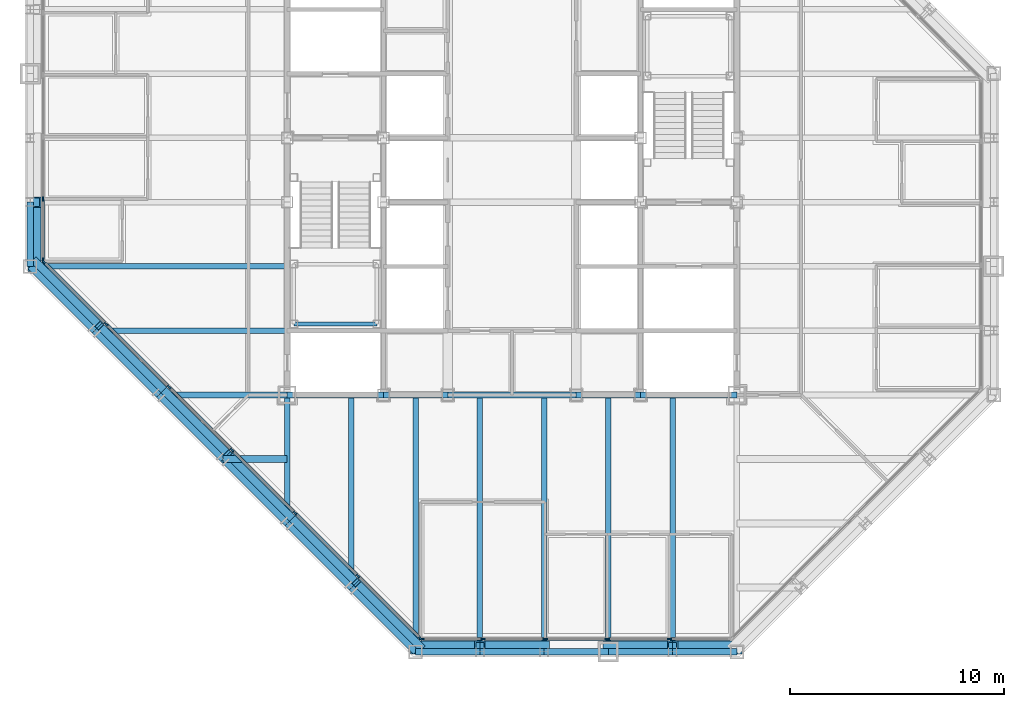
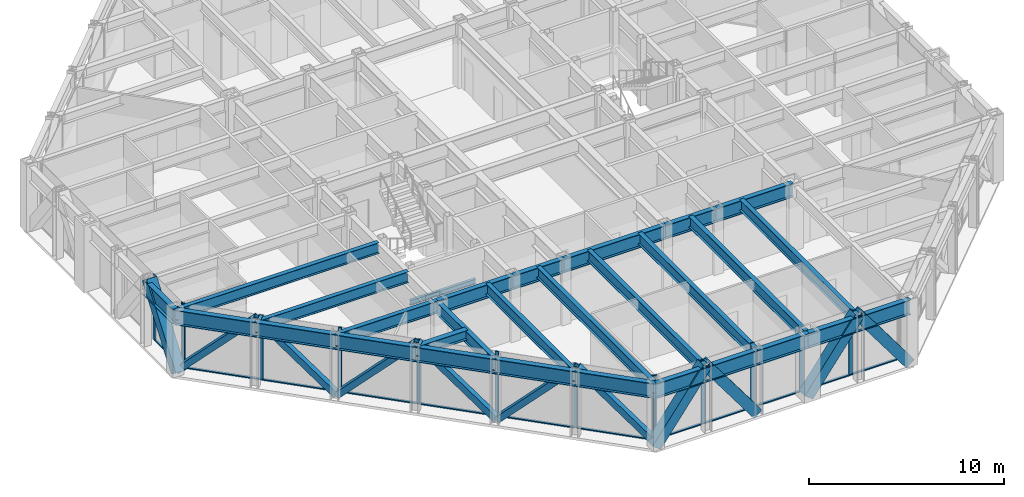
# One storey, part 5 of 16: 37 members, 29 beams, 3 elements without a shape of their own.
"""IFC4 building model written with IfcOpenShell, lengths in metres."""

from ifc_helpers import new_model, si_unit, direction, frame, origin, origin_2d, place, context, subcontext, project, spatial, rectangle, hollow_rectangle, i_section, extrude, material, layer, layer_set, material_profile, profile_set, type_object, element, aggregate, save


model = new_model("IFC4")

# Units and contexts
model_context = context("Model", 3, precision=1e-05, world=origin(), true_north=direction((0.0, 1.0)))
body_context = subcontext(model_context, "Body", "Model", "MODEL_VIEW")
ifc_project = project(units=[si_unit("LENGTHUNIT", "METRE"), si_unit("AREAUNIT", "SQUARE_METRE"), si_unit("VOLUMEUNIT", "CUBIC_METRE"), si_unit("PLANEANGLEUNIT", "RADIAN"), si_unit("MASSUNIT", "GRAM", prefix="KILO")], contexts=[model_context])

# Site, building, storey
site_placement = place(None, origin())
site = spatial("IfcSite", under=ifc_project, at=site_placement, CompositionType="ELEMENT")
building_placement = place(site_placement, origin())
building = spatial("IfcBuilding", under=site, at=building_placement, Name="Chuquiago Exchange Tower", CompositionType="ELEMENT")
storey_placement = place(building_placement, frame((0.0, 0.0, 222.300048828125)))
storey = spatial("IfcBuildingStorey", under=building, at=storey_placement, Name="L49", CompositionType="ELEMENT", Elevation=222.300048828125)

# Beams
ifc_material_1 = material(Name="Steel ASTM A992", Category="steel")
ifc_material_profile_1 = material_profile(ifc_material_1, i_section(OverallWidth=0.25390625, OverallDepth=0.683349609375, WebThickness=0.012451171875, FlangeThickness=0.018798828125, at=origin_2d()), Name="W27X94")
ifc_profile_set_1 = profile_set([ifc_material_profile_1], Name="Steel ASTM A992")
beam_type_1 = type_object("IfcBeamType", Name="B1 W27X94", PredefinedType="BEAM", material=ifc_profile_set_1)
beam_1_placement = place(storey_placement, frame((15.0, 12.0, 3.6982421875), z_axis=(0.0, -1.0, 0.0), x_axis=(1.0, 0.0, 0.0)))
element("IfcBeam", 1, at=beam_1_placement, inside=storey, type_object=beam_type_1, Name="FB-L50-infill-15_12-15_3-0", PredefinedType="BEAM", context=body_context, shape_type="SweptSolid", body=[
    extrude(i_section(OverallWidth=0.25390625, OverallDepth=0.683349609375, WebThickness=0.012451171875, FlangeThickness=0.018798828125, at=origin_2d()), origin(), (0.0, 0.0, 1.0), 9.0),
])
for number, where, z_axis, x_axis, name in (
    (2, (18.0, 12.0, 3.6982421875), (0.0, -1.0, 0.0), (1.0, 0.0, 0.0), "FB-L50-infill-18_12-18_-0-0"),
    (3, (21.0, 12.0, 3.6982421875), (0.0, -1.0, 0.0), (1.0, 0.0, 0.0), "FB-L50-infill-21_12-21_-0-0"),
    (4, (24.0, 12.0, 3.6982421875), (0.0, -1.0, 0.0), (1.0, 0.0, 0.0), "FB-L50-infill-24_12-24_-0-0"),
    (5, (27.0, 12.0, 3.6982421875), (0.0, -1.0, 0.0), (1.0, 0.0, 0.0), "FB-L50-infill-27_12-27_-0-0"),
    (6, (30.0, 12.0, 3.6982421875), (0.0, -1.0, 0.0), (1.0, 0.0, 0.0), "FB-L50-infill-30_12-30_-0-0"),
):
    element("IfcBeam", number, at=place(storey_placement, frame(where, z_axis=z_axis, x_axis=x_axis)), inside=storey, type_object=beam_type_1, Name=name, PredefinedType="BEAM", context=body_context, shape_type="SweptSolid", body=[
        extrude(i_section(OverallWidth=0.25390625, OverallDepth=0.683349609375, WebThickness=0.012451171875, FlangeThickness=0.018798828125, at=origin_2d()), origin(), (0.0, 0.0, 1.0), 12.0),
    ])
beam_2_placement = place(storey_placement, frame((12.0, 15.0, 3.6982421875), z_axis=(-1.0, 0.0, 0.0), x_axis=(0.0, -1.0, 0.0)))
element("IfcBeam", 7, at=beam_2_placement, inside=storey, type_object=beam_type_1, Name="FB-L50-infill-12_15-3_15-0", PredefinedType="BEAM", context=body_context, shape_type="SweptSolid", body=[
    extrude(i_section(OverallWidth=0.25390625, OverallDepth=0.683349609375, WebThickness=0.012451171875, FlangeThickness=0.018798828125, at=origin_2d()), origin(), (0.0, 0.0, 1.0), 9.0),
])
beam_3_placement = place(storey_placement, frame((12.0, 18.0, 3.6982421875), z_axis=(-1.0, 0.0, 0.0), x_axis=(0.0, -1.0, 0.0)))
element("IfcBeam", 8, at=beam_3_placement, inside=storey, type_object=beam_type_1, Name="FB-L50-infill-12_18--0_18-0", PredefinedType="BEAM", context=body_context, shape_type="SweptSolid", body=[
    extrude(i_section(OverallWidth=0.25390625, OverallDepth=0.683349609375, WebThickness=0.012451171875, FlangeThickness=0.018798828125, at=origin_2d()), origin(), (0.0, 0.0, 1.0), 12.0),
])
ifc_material_2 = material(Name="Steel ASTM A992", Category="steel")
ifc_material_profile_2 = material_profile(ifc_material_2, i_section(OverallWidth=0.3251953125, OverallDepth=0.612060546875, WebThickness=0.0126953125, FlangeThickness=0.01904296875, at=origin_2d()), Name="W24X104")
ifc_profile_set_2 = profile_set([ifc_material_profile_2], Name="Steel ASTM A992")
beam_type_2 = type_object("IfcBeamType", Name="B2 W24X104", PredefinedType="BEAM", material=ifc_profile_set_2)
beam_4_placement = place(storey_placement, frame((12.0, 9.0, 3.73388671875), z_axis=(-1.0, 0.0, 0.0), x_axis=(0.0, -1.0, 0.0)))
element("IfcBeam", 9, at=beam_4_placement, inside=storey, type_object=beam_type_2, Name="FB-L50-corner-12_9-9_9-0", PredefinedType="BEAM", context=body_context, shape_type="SweptSolid", body=[
    extrude(i_section(OverallWidth=0.3251953125, OverallDepth=0.612060546875, WebThickness=0.0126953125, FlangeThickness=0.01904296875, at=origin_2d()), origin(), (0.0, 0.0, 1.0), 3.0),
])
ifc_material_3 = material(Name="Steel ASTM A992", Category="steel")
ifc_material_profile_3 = material_profile(ifc_material_3, i_section(OverallWidth=0.2919921875, OverallDepth=0.8583984375, WebThickness=0.01708984375, FlangeThickness=0.031005859375, at=origin_2d()), Name="W33X169")
ifc_profile_set_3 = profile_set([ifc_material_profile_3], Name="Steel ASTM A992")
beam_type_3 = type_object("IfcBeamType", Name="B3 W33X169", PredefinedType="BEAM", material=ifc_profile_set_3)
beam_5_placement = place(storey_placement, frame((12.0, 12.0, 3.610595703125), z_axis=(1.0, 0.0, 0.0), x_axis=(0.0, 1.0, 0.0)))
element("IfcBeam", 10, at=beam_5_placement, inside=storey, type_object=beam_type_3, Name="CB-L50-12_12-16.5_12", PredefinedType="BEAM", context=body_context, shape_type="SweptSolid", body=[
    extrude(i_section(OverallWidth=0.2919921875, OverallDepth=0.8583984375, WebThickness=0.01708984375, FlangeThickness=0.031005859375, at=origin_2d()), origin(), (0.0, 0.0, 1.0), 4.5),
])
beam_6_placement = place(storey_placement, frame((16.5, 12.0, 3.610595703125), z_axis=(1.0, 0.0, 0.0), x_axis=(0.0, 1.0, 0.0)))
element("IfcBeam", 11, at=beam_6_placement, inside=storey, type_object=beam_type_3, Name="CB-L50-16.5_12-19.5_12", PredefinedType="BEAM", context=body_context, shape_type="SweptSolid", body=[
    extrude(i_section(OverallWidth=0.2919921875, OverallDepth=0.8583984375, WebThickness=0.01708984375, FlangeThickness=0.031005859375, at=origin_2d()), origin(), (0.0, 0.0, 1.0), 3.0),
])
beam_7_placement = place(storey_placement, frame((19.5, 12.0, 3.610595703125), z_axis=(1.0, 0.0, 0.0), x_axis=(0.0, 1.0, 0.0)))
element("IfcBeam", 12, at=beam_7_placement, inside=storey, type_object=beam_type_3, Name="CB-L50-19.5_12-25.5_12", PredefinedType="BEAM", context=body_context, shape_type="SweptSolid", body=[
    extrude(i_section(OverallWidth=0.2919921875, OverallDepth=0.8583984375, WebThickness=0.01708984375, FlangeThickness=0.031005859375, at=origin_2d()), origin(), (0.0, 0.0, 1.0), 6.0),
])
beam_8_placement = place(storey_placement, frame((25.5, 12.0, 3.610595703125), z_axis=(1.0, 0.0, 0.0), x_axis=(0.0, 1.0, 0.0)))
element("IfcBeam", 13, at=beam_8_placement, inside=storey, type_object=beam_type_3, Name="CB-L50-25.5_12-28.5_12", PredefinedType="BEAM", context=body_context, shape_type="SweptSolid", body=[
    extrude(i_section(OverallWidth=0.2919921875, OverallDepth=0.8583984375, WebThickness=0.01708984375, FlangeThickness=0.031005859375, at=origin_2d()), origin(), (0.0, 0.0, 1.0), 3.0),
])
beam_9_placement = place(storey_placement, frame((28.5, 12.0, 3.610595703125), z_axis=(1.0, 0.0, 0.0), x_axis=(0.0, 1.0, 0.0)))
element("IfcBeam", 14, at=beam_9_placement, inside=storey, type_object=beam_type_3, Name="CB-L50-28.5_12-33_12", PredefinedType="BEAM", context=body_context, shape_type="SweptSolid", body=[
    extrude(i_section(OverallWidth=0.2919921875, OverallDepth=0.8583984375, WebThickness=0.01708984375, FlangeThickness=0.031005859375, at=origin_2d()), origin(), (0.0, 0.0, 1.0), 4.5),
])

# Curtain wall, members
ifc_material_4 = material(Name="Aluminium curtain wall system", Category="aluminium")
ifc_layer_1 = layer(ifc_material_4, 0.22509765625)
ifc_layer_set_1 = layer_set([ifc_layer_1], Name="CW2 office curtain wall")
curtain_wall_type_1 = type_object("IfcCurtainWallType", Name="CW2 office curtain wall", PredefinedType="NOTDEFINED", material=ifc_layer_set_1)
curtain_wall_1_placement = place(storey_placement, origin())
curtain_wall_1 = element("IfcCurtainWall", 15, at=curtain_wall_1_placement, inside=storey, type_object=curtain_wall_type_1, Name="CW2 curtain wall L49", PredefinedType="NOTDEFINED")
ifc_material_5 = material(Name="Aluminium mullion, pale anodised", Category="aluminium")
ifc_material_profile_4 = material_profile(ifc_material_5, rectangle(XDim=0.06494140625, YDim=0.22509765625, at=origin_2d()), Name="AL 65x225")
ifc_profile_set_4 = profile_set([ifc_material_profile_4], Name="Aluminium mullion, pale anodised")
member_type_1 = type_object("IfcMemberType", Name="CW2-M mullion 65x225", PredefinedType="MULLION", material=ifc_profile_set_4)
member_1_placement = place(storey_placement, frame((18.281005859375, 0.60009765625, 0.0), z_axis=(0.0, 0.0, 1.0), x_axis=(0.0, 1.0, 0.0)))
member_1 = element("IfcMember", 16, at=member_1_placement, type_object=member_type_1, Name="CW2 mullion 1", PredefinedType="MULLION", context=body_context, shape_type="SweptSolid", body=[
    extrude(rectangle(XDim=0.06494140625, YDim=0.22509765625, at=origin_2d()), origin(), (0.0, 0.0, 1.0), 4.0400390625),
])
member_2_placement = place(storey_placement, frame((21.149169921875, 0.60009765625, 0.0), z_axis=(0.0, 0.0, 1.0), x_axis=(0.0, 1.0, 0.0)))
member_2 = element("IfcMember", 17, at=member_2_placement, type_object=member_type_1, Name="CW2 mullion 2", PredefinedType="MULLION", context=body_context, shape_type="SweptSolid", body=[
    extrude(rectangle(XDim=0.06494140625, YDim=0.22509765625, at=origin_2d()), origin(), (0.0, 0.0, 1.0), 4.0400390625),
])
member_3_placement = place(storey_placement, frame((24.0498046875, 0.60009765625, 0.0), z_axis=(0.0, 0.0, 1.0), x_axis=(0.0, 1.0, 0.0)))
member_3 = element("IfcMember", 18, at=member_3_placement, type_object=member_type_1, Name="CW2 mullion 3", PredefinedType="MULLION", context=body_context, shape_type="SweptSolid", body=[
    extrude(rectangle(XDim=0.06494140625, YDim=0.22509765625, at=origin_2d()), origin(), (0.0, 0.0, 1.0), 4.0400390625),
])
member_4_placement = place(storey_placement, frame((26.9501953125, 0.60009765625, 0.0), z_axis=(0.0, 0.0, 1.0), x_axis=(0.0, 1.0, 0.0)))
member_4 = element("IfcMember", 19, at=member_4_placement, type_object=member_type_1, Name="CW2 mullion 4", PredefinedType="MULLION", context=body_context, shape_type="SweptSolid", body=[
    extrude(rectangle(XDim=0.06494140625, YDim=0.22509765625, at=origin_2d()), origin(), (0.0, 0.0, 1.0), 4.0400390625),
])
member_5_placement = place(storey_placement, frame((29.850830078125, 0.60009765625, 0.0), z_axis=(0.0, 0.0, 1.0), x_axis=(0.0, 1.0, 0.0)))
member_5 = element("IfcMember", 20, at=member_5_placement, type_object=member_type_1, Name="CW2 mullion 5", PredefinedType="MULLION", context=body_context, shape_type="SweptSolid", body=[
    extrude(rectangle(XDim=0.06494140625, YDim=0.22509765625, at=origin_2d()), origin(), (0.0, 0.0, 1.0), 4.0400390625),
])

curtain_wall_2_placement = place(storey_placement, origin())
curtain_wall_2 = element("IfcCurtainWall", 21, at=curtain_wall_2_placement, inside=storey, type_object=curtain_wall_type_1, Name="CW2 curtain wall L49", PredefinedType="NOTDEFINED")
member_6_placement = place(storey_placement, frame((0.60009765625, 21.149169921875, 0.0), z_axis=(0.0, 0.0, 1.0), x_axis=(1.0, 0.0, 0.0)))
member_6 = element("IfcMember", 22, at=member_6_placement, type_object=member_type_1, Name="CW2 mullion 5", PredefinedType="MULLION", context=body_context, shape_type="SweptSolid", body=[
    extrude(rectangle(XDim=0.06494140625, YDim=0.22509765625, at=origin_2d()), origin(), (0.0, 0.0, 1.0), 4.0400390625),
])
member_7_placement = place(storey_placement, frame((0.60009765625, 18.281005859375, 0.0), z_axis=(0.0, 0.0, 1.0), x_axis=(1.0, 0.0, 0.0)))
member_7 = element("IfcMember", 23, at=member_7_placement, type_object=member_type_1, Name="CW2 mullion 6", PredefinedType="MULLION", context=body_context, shape_type="SweptSolid", body=[
    extrude(rectangle(XDim=0.06494140625, YDim=0.22509765625, at=origin_2d()), origin(), (0.0, 0.0, 1.0), 4.0400390625),
])

# Member
ifc_material_6 = material(Name="Aluminium transom, pale anodised", Category="aluminium")
ifc_material_profile_5 = material_profile(ifc_material_6, rectangle(XDim=0.139892578125, YDim=0.06494140625, at=origin_2d()), Name="AL 140x65")
ifc_profile_set_5 = profile_set([ifc_material_profile_5], Name="Aluminium transom, pale anodised")
member_type_2 = type_object("IfcMemberType", Name="CW2-T transom 65x140", PredefinedType="MULLION", material=ifc_profile_set_5)
member_8_placement = place(storey_placement, frame((18.3134765625, 0.60009765625, 0.032470703125), z_axis=(1.0, 0.0, 0.0), x_axis=(0.0, 1.0, 0.0)))
member_8 = element("IfcMember", 24, at=member_8_placement, type_object=member_type_2, Name="CW2 transom 1.1", PredefinedType="MULLION", context=body_context, shape_type="SweptSolid", body=[
    extrude(rectangle(XDim=0.139892578125, YDim=0.06494140625, at=origin_2d()), origin(), (0.0, 0.0, 1.0), 2.80322265625),
])

member_9_placement = place(storey_placement, frame((21.181640625, 0.60009765625, 0.032470703125), z_axis=(1.0, 0.0, 0.0), x_axis=(0.0, 1.0, 0.0)))
member_9 = element("IfcMember", 25, at=member_9_placement, type_object=member_type_2, Name="CW2 transom 2.1", PredefinedType="MULLION", context=body_context, shape_type="SweptSolid", body=[
    extrude(rectangle(XDim=0.139892578125, YDim=0.06494140625, at=origin_2d()), origin(), (0.0, 0.0, 1.0), 2.83544921875),
])

member_10_placement = place(storey_placement, frame((24.082275390625, 0.60009765625, 0.032470703125), z_axis=(1.0, 0.0, 0.0), x_axis=(0.0, 1.0, 0.0)))
member_10 = element("IfcMember", 26, at=member_10_placement, type_object=member_type_2, Name="CW2 transom 3.1", PredefinedType="MULLION", context=body_context, shape_type="SweptSolid", body=[
    extrude(rectangle(XDim=0.139892578125, YDim=0.06494140625, at=origin_2d()), origin(), (0.0, 0.0, 1.0), 2.83544921875),
])

member_11_placement = place(storey_placement, frame((26.98291015625, 0.60009765625, 0.032470703125), z_axis=(1.0, 0.0, 0.0), x_axis=(0.0, 1.0, 0.0)))
member_11 = element("IfcMember", 27, at=member_11_placement, type_object=member_type_2, Name="CW2 transom 4.1", PredefinedType="MULLION", context=body_context, shape_type="SweptSolid", body=[
    extrude(rectangle(XDim=0.139892578125, YDim=0.06494140625, at=origin_2d()), origin(), (0.0, 0.0, 1.0), 2.83544921875),
])

member_12_placement = place(storey_placement, frame((29.88330078125, 0.60009765625, 0.032470703125), z_axis=(1.0, 0.0, 0.0), x_axis=(0.0, 1.0, 0.0)))
member_12 = element("IfcMember", 28, at=member_12_placement, type_object=member_type_2, Name="CW2 transom 5.1", PredefinedType="MULLION", context=body_context, shape_type="SweptSolid", body=[
    extrude(rectangle(XDim=0.139892578125, YDim=0.06494140625, at=origin_2d()), origin(), (0.0, 0.0, 1.0), 2.80322265625),
])

aggregate(curtain_wall_1, [member_1, member_2, member_3, member_4, member_5, member_8, member_9, member_10, member_11, member_12])

member_13_placement = place(storey_placement, frame((0.60009765625, 21.11669921875, 0.032470703125), z_axis=(0.0, -1.0, 0.0), x_axis=(1.0, 0.0, 0.0)))
member_13 = element("IfcMember", 29, at=member_13_placement, type_object=member_type_2, Name="CW2 transom 5.1", PredefinedType="MULLION", context=body_context, shape_type="SweptSolid", body=[
    extrude(rectangle(XDim=0.139892578125, YDim=0.06494140625, at=origin_2d()), origin(), (0.0, 0.0, 1.0), 2.80322265625),
])

aggregate(curtain_wall_2, [member_6, member_7, member_13])

# Curtain wall, members
ifc_material_7 = material(Name="Aluminium curtain wall system", Category="aluminium")
ifc_layer_2 = layer(ifc_material_7, 0.199951171875)
ifc_layer_set_2 = layer_set([ifc_layer_2], Name="CW3 facet curtain wall")
curtain_wall_type_2 = type_object("IfcCurtainWallType", Name="CW3 facet curtain wall", PredefinedType="NOTDEFINED", material=ifc_layer_set_2)
curtain_wall_3_placement = place(storey_placement, origin())
curtain_wall_3 = element("IfcCurtainWall", 30, at=curtain_wall_3_placement, inside=storey, type_object=curtain_wall_type_2, Name="CW3 curtain wall L49", PredefinedType="NOTDEFINED")
ifc_material_8 = material(Name="Aluminium mullion, pale anodised", Category="aluminium")
ifc_material_profile_6 = material_profile(ifc_material_8, rectangle(XDim=0.06494140625, YDim=0.199951171875, at=origin_2d()), Name="AL 65x200")
ifc_profile_set_6 = profile_set([ifc_material_profile_6], Name="Aluminium mullion, pale anodised")
member_type_3 = type_object("IfcMemberType", Name="CW3-M mullion 65x200", PredefinedType="MULLION", material=ifc_profile_set_6)
member_14_placement = place(storey_placement, frame((0.623046875, 18.2255859375, 0.0), z_axis=(0.0, 0.0, 1.0), x_axis=(0.707106781187, 0.707106781187, 0.0)))
member_14 = element("IfcMember", 31, at=member_14_placement, type_object=member_type_3, Name="CW3 mullion 1", PredefinedType="MULLION", context=body_context, shape_type="SweptSolid", body=[
    extrude(rectangle(XDim=0.06494140625, YDim=0.199951171875, at=origin_2d()), origin(), (0.0, 0.0, 1.0), 4.0400390625),
])
member_15_placement = place(storey_placement, frame((3.54150390625, 15.30712890625, 0.0), z_axis=(0.0, 0.0, 1.0), x_axis=(0.707106781187, 0.707106781187, 0.0)))
member_15 = element("IfcMember", 32, at=member_15_placement, type_object=member_type_3, Name="CW3 mullion 2", PredefinedType="MULLION", context=body_context, shape_type="SweptSolid", body=[
    extrude(rectangle(XDim=0.06494140625, YDim=0.199951171875, at=origin_2d()), origin(), (0.0, 0.0, 1.0), 4.0400390625),
])
member_16_placement = place(storey_placement, frame((6.48291015625, 12.36572265625, 0.0), z_axis=(0.0, 0.0, 1.0), x_axis=(0.707106781187, 0.707106781187, 0.0)))
member_16 = element("IfcMember", 33, at=member_16_placement, type_object=member_type_3, Name="CW3 mullion 3", PredefinedType="MULLION", context=body_context, shape_type="SweptSolid", body=[
    extrude(rectangle(XDim=0.06494140625, YDim=0.199951171875, at=origin_2d()), origin(), (0.0, 0.0, 1.0), 4.0400390625),
])
member_17_placement = place(storey_placement, frame((9.42431640625, 9.42431640625, 0.0), z_axis=(0.0, 0.0, 1.0), x_axis=(0.707106781187, 0.707106781187, 0.0)))
member_17 = element("IfcMember", 34, at=member_17_placement, type_object=member_type_3, Name="CW3 mullion 4", PredefinedType="MULLION", context=body_context, shape_type="SweptSolid", body=[
    extrude(rectangle(XDim=0.06494140625, YDim=0.199951171875, at=origin_2d()), origin(), (0.0, 0.0, 1.0), 4.0400390625),
])
member_18_placement = place(storey_placement, frame((12.36572265625, 6.48291015625, 0.0), z_axis=(0.0, 0.0, 1.0), x_axis=(0.707106781187, 0.707106781187, 0.0)))
member_18 = element("IfcMember", 35, at=member_18_placement, type_object=member_type_3, Name="CW3 mullion 5", PredefinedType="MULLION", context=body_context, shape_type="SweptSolid", body=[
    extrude(rectangle(XDim=0.06494140625, YDim=0.199951171875, at=origin_2d()), origin(), (0.0, 0.0, 1.0), 4.0400390625),
])
member_19_placement = place(storey_placement, frame((15.30712890625, 3.54150390625, 0.0), z_axis=(0.0, 0.0, 1.0), x_axis=(0.707106781187, 0.707106781187, 0.0)))
member_19 = element("IfcMember", 36, at=member_19_placement, type_object=member_type_3, Name="CW3 mullion 6", PredefinedType="MULLION", context=body_context, shape_type="SweptSolid", body=[
    extrude(rectangle(XDim=0.06494140625, YDim=0.199951171875, at=origin_2d()), origin(), (0.0, 0.0, 1.0), 4.0400390625),
])
member_20_placement = place(storey_placement, frame((18.2255859375, 0.623046875, 0.0), z_axis=(0.0, 0.0, 1.0), x_axis=(0.707106781187, 0.707106781187, 0.0)))
member_20 = element("IfcMember", 37, at=member_20_placement, type_object=member_type_3, Name="CW3 mullion 7", PredefinedType="MULLION", context=body_context, shape_type="SweptSolid", body=[
    extrude(rectangle(XDim=0.06494140625, YDim=0.199951171875, at=origin_2d()), origin(), (0.0, 0.0, 1.0), 4.0400390625),
])
ifc_material_9 = material(Name="Aluminium transom, pale anodised", Category="aluminium")
ifc_material_profile_7 = material_profile(ifc_material_9, rectangle(XDim=0.139892578125, YDim=0.06494140625, at=origin_2d()), Name="AL 140x65")
ifc_profile_set_7 = profile_set([ifc_material_profile_7], Name="Aluminium transom, pale anodised")
member_type_4 = type_object("IfcMemberType", Name="CW3-T transom 65x140", PredefinedType="MULLION", material=ifc_profile_set_7)
member_21_placement = place(storey_placement, frame((0.64599609375, 18.20263671875, 0.032470703125), z_axis=(0.707106781187, -0.707106781187, 0.0), x_axis=(0.707106781187, 0.707106781187, 0.0)))
member_21 = element("IfcMember", 38, at=member_21_placement, type_object=member_type_4, Name="CW3 transom 1.1", PredefinedType="MULLION", context=body_context, shape_type="SweptSolid", body=[
    extrude(rectangle(XDim=0.139892578125, YDim=0.06494140625, at=origin_2d()), origin(), (0.0, 0.0, 1.0), 4.0625),
])
member_22_placement = place(storey_placement, frame((3.564453125, 15.2841796875, 0.032470703125), z_axis=(0.707106781187, -0.707106781187, 0.0), x_axis=(0.707106781187, 0.707106781187, 0.0)))
member_22 = element("IfcMember", 39, at=member_22_placement, type_object=member_type_4, Name="CW3 transom 2.1", PredefinedType="MULLION", context=body_context, shape_type="SweptSolid", body=[
    extrude(rectangle(XDim=0.139892578125, YDim=0.06494140625, at=origin_2d()), origin(), (0.0, 0.0, 1.0), 4.094970703125),
])
member_23_placement = place(storey_placement, frame((6.505859375, 12.3427734375, 0.032470703125), z_axis=(0.707106781187, -0.707106781187, 0.0), x_axis=(0.707106781187, 0.707106781187, 0.0)))
member_23 = element("IfcMember", 40, at=member_23_placement, type_object=member_type_4, Name="CW3 transom 3.1", PredefinedType="MULLION", context=body_context, shape_type="SweptSolid", body=[
    extrude(rectangle(XDim=0.139892578125, YDim=0.06494140625, at=origin_2d()), origin(), (0.0, 0.0, 1.0), 4.094970703125),
])
member_24_placement = place(storey_placement, frame((9.447265625, 9.4013671875, 0.032470703125), z_axis=(0.707106781187, -0.707106781187, 0.0), x_axis=(0.707106781187, 0.707106781187, 0.0)))
member_24 = element("IfcMember", 41, at=member_24_placement, type_object=member_type_4, Name="CW3 transom 4.1", PredefinedType="MULLION", context=body_context, shape_type="SweptSolid", body=[
    extrude(rectangle(XDim=0.139892578125, YDim=0.06494140625, at=origin_2d()), origin(), (0.0, 0.0, 1.0), 4.094970703125),
])
member_25_placement = place(storey_placement, frame((12.388671875, 6.4599609375, 0.032470703125), z_axis=(0.707106781187, -0.707106781187, 0.0), x_axis=(0.707106781187, 0.707106781187, 0.0)))
member_25 = element("IfcMember", 42, at=member_25_placement, type_object=member_type_4, Name="CW3 transom 5.1", PredefinedType="MULLION", context=body_context, shape_type="SweptSolid", body=[
    extrude(rectangle(XDim=0.139892578125, YDim=0.06494140625, at=origin_2d()), origin(), (0.0, 0.0, 1.0), 4.094970703125),
])
member_26_placement = place(storey_placement, frame((15.330078125, 3.5185546875, 0.032470703125), z_axis=(0.707106781187, -0.707106781187, 0.0), x_axis=(0.707106781187, 0.707106781187, 0.0)))
member_26 = element("IfcMember", 43, at=member_26_placement, type_object=member_type_4, Name="CW3 transom 6.1", PredefinedType="MULLION", context=body_context, shape_type="SweptSolid", body=[
    extrude(rectangle(XDim=0.139892578125, YDim=0.06494140625, at=origin_2d()), origin(), (0.0, 0.0, 1.0), 4.0625),
])
aggregate(curtain_wall_3, [member_14, member_15, member_16, member_17, member_18, member_19, member_20, member_21, member_22, member_23, member_24, member_25, member_26])

# Beams
ifc_material_10 = material(Name="Steel ASTM A992", Category="steel")
ifc_material_profile_8 = material_profile(ifc_material_10, i_section(OverallWidth=0.2666015625, OverallDepth=0.76953125, WebThickness=0.015625, FlangeThickness=0.025390625, at=origin_2d()), Name="W30X132")
ifc_profile_set_8 = profile_set([ifc_material_profile_8], Name="Steel ASTM A992")
beam_type_4 = type_object("IfcBeamType", Name="G1 W30X132", PredefinedType="BEAM", material=ifc_profile_set_8)
for number, where, z_axis, x_axis, name in (
    (44, (12.0, 12.0, 3.655029296875), (0.0, -1.0, 0.0), (1.0, 0.0, 0.0), "FB-L50-girder-12_12-12_6-0"),
    (45, (12.0, 12.0, 3.655029296875), (-1.0, 0.0, 0.0), (0.0, -1.0, 0.0), "FB-L50-girder-12_12-6_12-0"),
):
    element("IfcBeam", number, at=place(storey_placement, frame(where, z_axis=z_axis, x_axis=x_axis)), inside=storey, type_object=beam_type_4, Name=name, PredefinedType="BEAM", context=body_context, shape_type="SweptSolid", body=[
        extrude(i_section(OverallWidth=0.2666015625, OverallDepth=0.76953125, WebThickness=0.015625, FlangeThickness=0.025390625, at=origin_2d()), origin(), (0.0, 0.0, 1.0), 6.0),
    ])

# Members
ifc_material_11 = material(Name="Steel ASTM A500 Grade C", Category="steel")
ifc_material_profile_9 = material_profile(ifc_material_11, hollow_rectangle(XDim=0.355712890625, YDim=0.355712890625, WallThickness=0.0146484375, at=origin_2d()), Name="HSS14X14X5/8")
ifc_profile_set_9 = profile_set([ifc_material_profile_9], Name="Steel ASTM A500 Grade C")
member_type_5 = type_object("IfcMemberType", Name="LB2 HSS14X14X5/8", PredefinedType="BRACE", material=ifc_profile_set_9)
for number, where, z_axis, x_axis, name in (
    (46, (0.2314453125, 18.2314453125, 0.0), (0.512077265487, -0.512077265487, 0.689604051861), (0.707106781187, 0.707106781187, 0.0), "LB-L49-0_18-3_15"),
    (47, (6.2314453125, 12.2314453125, 0.0), (-0.512077265487, 0.512077265487, 0.689604051861), (-0.707106781187, -0.707106781187, 0.0), "LB-L49-3_15-6_12"),
    (48, (6.2314453125, 12.2314453125, 0.0), (0.512077265487, -0.512077265487, 0.689604051861), (0.707106781187, 0.707106781187, 0.0), "LB-L49-6_12-9_9"),
    (49, (12.2314453125, 6.2314453125, 0.0), (-0.512077265487, 0.512077265487, 0.689604051861), (-0.707106781187, -0.707106781187, 0.0), "LB-L49-9_9-12_6"),
    (50, (12.2314453125, 6.2314453125, 0.0), (0.512077265487, -0.512077265487, 0.689604051861), (0.707106781187, 0.707106781187, 0.0), "LB-L49-12_6-15_3"),
    (51, (18.2314453125, 0.2314453125, 0.0), (-0.512077265487, 0.512077265487, 0.689604051861), (-0.707106781187, -0.707106781187, 0.0), "LB-L49-15_3-18_0"),
):
    element("IfcMember", number, at=place(storey_placement, frame(where, z_axis=z_axis, x_axis=x_axis)), inside=storey, type_object=member_type_5, Name=name, PredefinedType="BRACE", context=body_context, shape_type="SweptSolid", body=[
        extrude(hollow_rectangle(XDim=0.355712890625, YDim=0.355712890625, WallThickness=0.0146484375, at=origin_2d()), origin(), (0.0, 0.0, 1.0), 5.8583984375),
    ])

# Beam
ifc_material_12 = material(Name="Steel ASTM A992", Category="steel")
ifc_material_profile_10 = material_profile(ifc_material_12, i_section(OverallWidth=0.164794921875, OverallDepth=0.309814453125, WebThickness=0.005859375, FlangeThickness=0.009765625, at=origin_2d()), Name="W12X26")
ifc_profile_set_10 = profile_set([ifc_material_profile_10], Name="Steel ASTM A992")
beam_type_5 = type_object("IfcBeamType", Name="LT1 W12X26", PredefinedType="BEAM", material=ifc_profile_set_10)
beam_10_placement = place(storey_placement, frame((12.31005859375, 15.31005859375, 1.7451171875), z_axis=(1.0, 0.0, 0.0), x_axis=(0.0, 1.0, 0.0)))
element("IfcBeam", 52, at=beam_10_placement, inside=storey, type_object=beam_type_5, Name="Stair ST1 L49 landing 1 trimmer", PredefinedType="BEAM", context=body_context, shape_type="SweptSolid", body=[
    extrude(i_section(OverallWidth=0.164794921875, OverallDepth=0.309814453125, WebThickness=0.005859375, FlangeThickness=0.009765625, at=origin_2d()), origin(), (0.0, 0.0, 1.0), 3.8798828125),
])

# Members
ifc_material_13 = material(Name="Steel ASTM A572 Grade 50", Category="steel")
ifc_material_profile_11 = material_profile(ifc_material_13, hollow_rectangle(XDim=0.60009765625, YDim=0.60009765625, WallThickness=0.06005859375, at=origin_2d()), Name="BOX600X600X60")
ifc_profile_set_11 = profile_set([ifc_material_profile_11], Name="Steel ASTM A572 Grade 50")
member_type_6 = type_object("IfcMemberType", Name="MB3 BOX600X600X60", PredefinedType="BRACE", material=ifc_profile_set_11)
for number, where, z_axis, x_axis, name in (
    (53, (18.0, 0.205078125, 0.0), (0.596173923302, 0.0, 0.802855312728), (0.0, 1.0, 0.0), "Mega diagonal L49 S face"),
    (54, (24.0, 0.205078125, 0.0), (-0.596173923302, 0.0, 0.802855312728), (0.0, -1.0, 0.0), "Mega diagonal L49 S face"),
    (55, (27.0, 0.205078125, 0.0), (0.596173923302, 0.0, 0.802855312728), (0.0, 1.0, 0.0), "Mega diagonal L49 S face"),
    (56, (33.0, 0.205078125, 0.0), (-0.596173923302, 0.0, 0.802855312728), (0.0, -1.0, 0.0), "Mega diagonal L49 S face"),
    (57, (0.205078125, 18.0, 0.0), (0.0, 0.596173923302, 0.802855312728), (-1.0, 0.0, 0.0), "Mega diagonal L49 W face"),
):
    element("IfcMember", number, at=place(storey_placement, frame(where, z_axis=z_axis, x_axis=x_axis)), inside=storey, type_object=member_type_6, Name=name, PredefinedType="BRACE", context=body_context, shape_type="SweptSolid", body=[
        extrude(hollow_rectangle(XDim=0.60009765625, YDim=0.60009765625, WallThickness=0.06005859375, at=origin_2d()), origin(), (0.0, 0.0, 1.0), 5.031982421875),
    ])

# Beams
ifc_material_14 = material(Name="Steel ASTM A992", Category="steel")
ifc_material_profile_12 = material_profile(ifc_material_14, i_section(OverallWidth=0.307373046875, OverallDepth=0.927001953125, WebThickness=0.01953125, FlangeThickness=0.031982421875, at=origin_2d()), Name="W36X194")
ifc_profile_set_12 = profile_set([ifc_material_profile_12], Name="Steel ASTM A992")
beam_type_6 = type_object("IfcBeamType", Name="SP3 W36X194", PredefinedType="SPANDREL", material=ifc_profile_set_12)
for number, where, z_axis, x_axis, name in (
    (58, (18.0, 0.0, 3.576416015625), (1.0, 0.0, 0.0), (0.0, 1.0, 0.0), "SPB-L50-18_0-21_0"),
    (59, (21.0, 0.0, 3.576416015625), (1.0, 0.0, 0.0), (0.0, 1.0, 0.0), "SPB-L50-21_0-24_0"),
    (60, (24.0, 0.0, 3.576416015625), (1.0, 0.0, 0.0), (0.0, 1.0, 0.0), "SPB-L50-24_0-27_0"),
    (61, (27.0, 0.0, 3.576416015625), (1.0, 0.0, 0.0), (0.0, 1.0, 0.0), "SPB-L50-27_0-30_0"),
    (62, (30.0, 0.0, 3.576416015625), (1.0, 0.0, 0.0), (0.0, 1.0, 0.0), "SPB-L50-30_0-33_0"),
    (63, (0.0, 21.0, 3.576416015625), (0.0, -1.0, 0.0), (1.0, 0.0, 0.0), "SPB-L50-0_21-0_18"),
):
    element("IfcBeam", number, at=place(storey_placement, frame(where, z_axis=z_axis, x_axis=x_axis)), inside=storey, type_object=beam_type_6, Name=name, PredefinedType="SPANDREL", context=body_context, shape_type="SweptSolid", body=[
        extrude(i_section(OverallWidth=0.307373046875, OverallDepth=0.927001953125, WebThickness=0.01953125, FlangeThickness=0.031982421875, at=origin_2d()), origin(), (0.0, 0.0, 1.0), 3.0),
    ])
for number, where, z_axis, x_axis, name in (
    (64, (0.0, 18.0, 3.576416015625), (0.707106781187, -0.707106781187, 0.0), (0.707106781187, 0.707106781187, 0.0), "SPB-L50-0_18-3_15"),
    (65, (3.0, 15.0, 3.576416015625), (0.707106781187, -0.707106781187, 0.0), (0.707106781187, 0.707106781187, 0.0), "SPB-L50-3_15-6_12"),
    (66, (6.0, 12.0, 3.576416015625), (0.707106781187, -0.707106781187, 0.0), (0.707106781187, 0.707106781187, 0.0), "SPB-L50-6_12-9_9"),
    (67, (9.0, 9.0, 3.576416015625), (0.707106781187, -0.707106781187, 0.0), (0.707106781187, 0.707106781187, 0.0), "SPB-L50-9_9-12_6"),
    (68, (12.0, 6.0, 3.576416015625), (0.707106781187, -0.707106781187, 0.0), (0.707106781187, 0.707106781187, 0.0), "SPB-L50-12_6-15_3"),
    (69, (15.0, 3.0, 3.576416015625), (0.707106781187, -0.707106781187, 0.0), (0.707106781187, 0.707106781187, 0.0), "SPB-L50-15_3-18_0"),
):
    element("IfcBeam", number, at=place(storey_placement, frame(where, z_axis=z_axis, x_axis=x_axis)), inside=storey, type_object=beam_type_6, Name=name, PredefinedType="SPANDREL", context=body_context, shape_type="SweptSolid", body=[
        extrude(i_section(OverallWidth=0.307373046875, OverallDepth=0.927001953125, WebThickness=0.01953125, FlangeThickness=0.031982421875, at=origin_2d()), origin(), (0.0, 0.0, 1.0), 4.24267578125),
    ])

save(model, "model.ifc")
